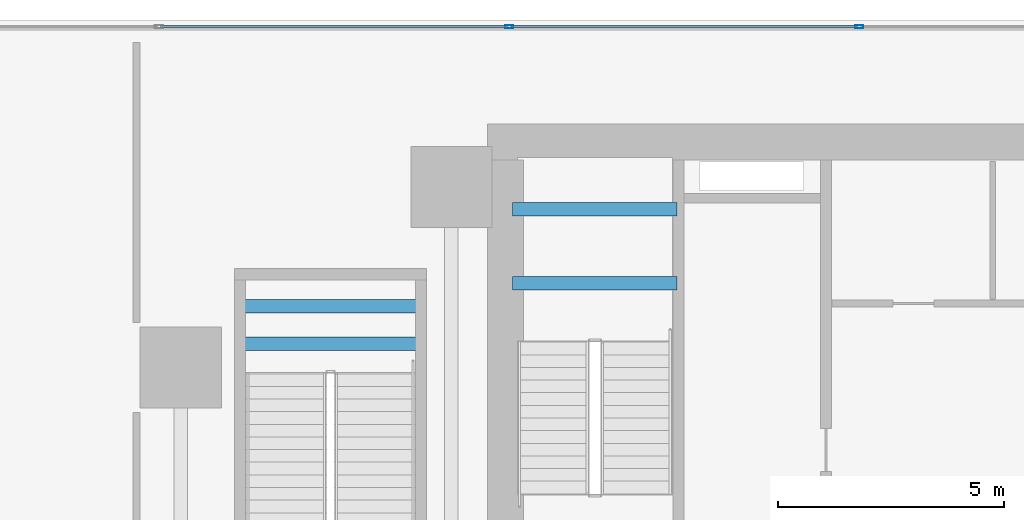
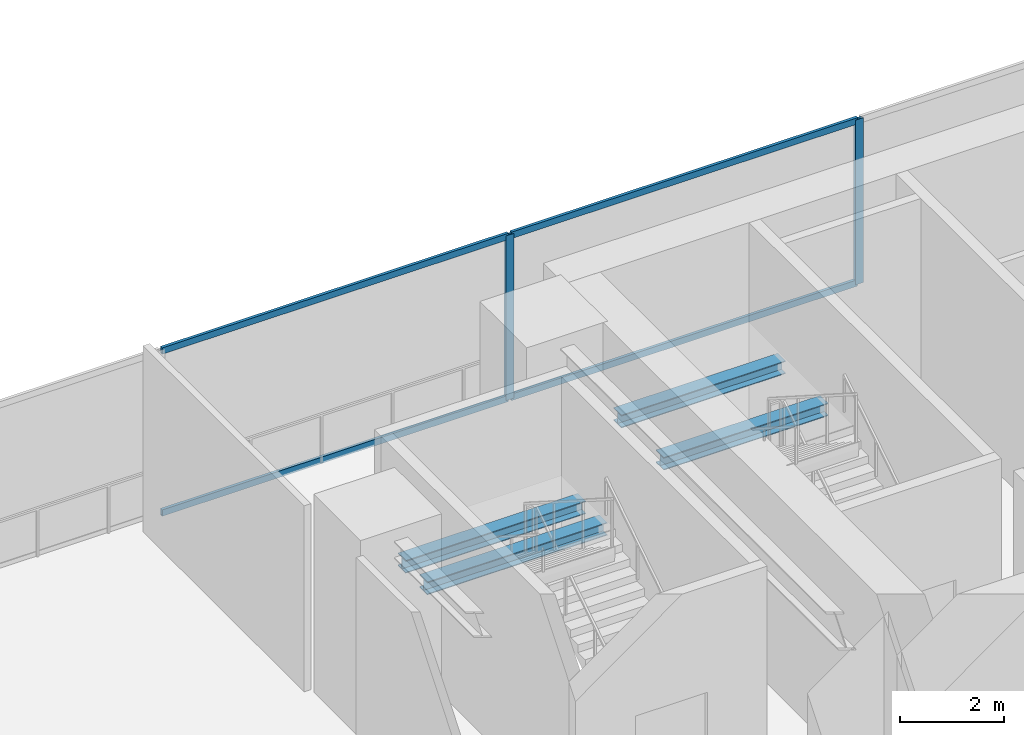
# One storey, part 3 of 17: 6 members, 4 beams, 1 element without a shape of its own.
"""IFC4 building model written with IfcOpenShell, lengths in metres."""

from ifc_helpers import new_model, si_unit, direction, frame, origin, origin_2d, place, context, subcontext, project, spatial, hollow_rectangle, i_section, extrude, source, transform, mapped, material, layer, layer_set, material_profile, profile_set, type_object, element, aggregate, save


model = new_model("IFC4")

# Units and contexts
model_context = context("Model", 3, precision=1e-05, world=origin(), true_north=direction((0.0, 1.0)))
body_context = subcontext(model_context, "Body", "Model", "MODEL_VIEW")
ifc_project = project(units=[si_unit("LENGTHUNIT", "METRE"), si_unit("AREAUNIT", "SQUARE_METRE"), si_unit("VOLUMEUNIT", "CUBIC_METRE"), si_unit("PLANEANGLEUNIT", "RADIAN"), si_unit("MASSUNIT", "GRAM", prefix="KILO")], contexts=[model_context])

# Site, building, storey
site_placement = place(None, origin())
site = spatial("IfcSite", under=ifc_project, at=site_placement, CompositionType="ELEMENT")
building_placement = place(site_placement, origin())
building = spatial("IfcBuilding", under=site, at=building_placement, Name="Sumidabori Civic Tower", CompositionType="ELEMENT")
storey_placement = place(building_placement, frame((0.0, 0.0, 5.0)))
storey = spatial("IfcBuildingStorey", under=building, at=storey_placement, Name="L01", CompositionType="ELEMENT", Elevation=5.0)

# Beams
ifc_material_1 = material(Name="Steel SN490", Category="steel")
ifc_material_profile_1 = material_profile(ifc_material_1, i_section(OverallWidth=0.300048828125, OverallDepth=0.300048828125, WebThickness=0.010986328125, FlangeThickness=0.01904296875, at=origin_2d()), Name="HE 300 B")
ifc_profile_set_1 = profile_set([ifc_material_profile_1], Name="Steel SN490")
beam_type = type_object("IfcBeamType", Name="BM-LDG-300", PredefinedType="BEAM", material=ifc_profile_set_1)
shared_shape_1 = source(origin(), body_context, "Body", "SweptSolid", [
    extrude(i_section(OverallWidth=0.300048828125, OverallDepth=0.300048828125, WebThickness=0.010986328125, FlangeThickness=0.01904296875, at=origin_2d()), origin(), (0.0, 0.0, 1.0), 3.64990234375),
])
for number, where, z_axis, x_axis, name in (
    (1, (-15.449951171875, 20.668701171875, 1.97509765625), (1.0, 0.0, 0.0), (0.0, 1.0, 0.0), "Stair ST-1 Landing Support Beam L01-1A"),
    (2, (-15.449951171875, 22.3046875, 1.97509765625), (1.0, 0.0, 0.0), (0.0, 1.0, 0.0), "Stair ST-1 Landing Trimmer Beam L01-1B"),
):
    element("IfcBeam", number, at=place(storey_placement, frame(where, z_axis=z_axis, x_axis=x_axis)), inside=storey, type_object=beam_type, Name=name, PredefinedType="BEAM", context=body_context, shape_type="MappedRepresentation", body=[
        mapped(shared_shape_1, transform((0.0, 0.0, 0.0), x_axis=(1.0, 0.0, 0.0), y_axis=(0.0, 1.0, 0.0), z_axis=(0.0, 0.0, 1.0), scale=1.0)),
    ])
shared_shape_2 = source(origin(), body_context, "Body", "SweptSolid", [
    extrude(i_section(OverallWidth=0.300048828125, OverallDepth=0.300048828125, WebThickness=0.010986328125, FlangeThickness=0.01904296875, at=origin_2d()), origin(), (0.0, 0.0, 1.0), 4.0),
])
for number, where, z_axis, x_axis, name in (
    (3, (-21.47998046875, 19.32568359375, 1.97509765625), (1.0, 0.0, 0.0), (0.0, 1.0, 0.0), "Stair ST-3 Landing Support Beam L01-1A"),
    (4, (-21.47998046875, 20.15771484375, 1.97509765625), (1.0, 0.0, 0.0), (0.0, 1.0, 0.0), "Stair ST-3 Landing Trimmer Beam L01-1B"),
):
    element("IfcBeam", number, at=place(storey_placement, frame(where, z_axis=z_axis, x_axis=x_axis)), inside=storey, type_object=beam_type, Name=name, PredefinedType="BEAM", context=body_context, shape_type="MappedRepresentation", body=[
        mapped(shared_shape_2, transform((0.0, 0.0, 0.0), x_axis=(1.0, 0.0, 0.0), y_axis=(0.0, 1.0, 0.0), z_axis=(0.0, 0.0, 1.0), scale=1.0)),
    ])

# Curtain wall, members
ifc_material_2 = material(Name="Anodised Bronze Aluminium AW-6063-T6", Category="aluminium")
ifc_layer = layer(ifc_material_2, 0.179931640625, Name="Anodised Bronze Aluminium AW-6063-T6")
ifc_layer_set = layer_set([ifc_layer], Name="Anodised Bronze Aluminium AW-6063-T6")
curtain_wall_type = type_object("IfcCurtainWallType", Name="CW-SYS-1", PredefinedType="NOTDEFINED", material=ifc_layer_set)
curtain_wall_placement = place(storey_placement, origin())
curtain_wall = element("IfcCurtainWall", 5, at=curtain_wall_placement, inside=storey, type_object=curtain_wall_type, Name="Curtain Wall CW:L01:NORTH", PredefinedType="NOTDEFINED")
ifc_material_profile_2 = material_profile(ifc_material_2, hollow_rectangle(XDim=0.070068359375, YDim=0.179931640625, WallThickness=0.006103515625, at=origin_2d()), Name="ALU MULLION 180x70")
ifc_profile_set_2 = profile_set([ifc_material_profile_2], Name="Anodised Bronze Aluminium AW-6063-T6")
member_type_1 = type_object("IfcMemberType", Name="CW-MUL-180", PredefinedType="MULLION", material=ifc_profile_set_2)
shared_shape_3 = source(origin(), body_context, "Body", "SweptSolid", [
    extrude(hollow_rectangle(XDim=0.070068359375, YDim=0.179931640625, WallThickness=0.006103515625, at=origin_2d()), origin(), (0.0, 0.0, 1.0), 3.8701171875),
])
member_1_placement = place(storey_placement, frame((-15.52001953125, 26.35009765625, 0.0), z_axis=(0.0, 0.0, 1.0), x_axis=(0.0, 1.0, 0.0)))
member_1 = element("IfcMember", 6, at=member_1_placement, type_object=member_type_1, Name="CW-1 mullion 4", PredefinedType="MULLION", context=body_context, shape_type="MappedRepresentation", body=[
    mapped(shared_shape_3, transform((0.0, 0.0, 0.0), x_axis=(1.0, 0.0, 0.0), y_axis=(0.0, 1.0, 0.0), z_axis=(0.0, 0.0, 1.0), scale=1.0)),
])
member_2_placement = place(storey_placement, frame((-7.760009765625, 26.35009765625, 0.0), z_axis=(0.0, 0.0, 1.0), x_axis=(0.0, 1.0, 0.0)))
member_2 = element("IfcMember", 7, at=member_2_placement, type_object=member_type_1, Name="CW-1 mullion 5", PredefinedType="MULLION", context=body_context, shape_type="MappedRepresentation", body=[
    mapped(shared_shape_3, transform((0.0, 0.0, 0.0), x_axis=(1.0, 0.0, 0.0), y_axis=(0.0, 1.0, 0.0), z_axis=(0.0, 0.0, 1.0), scale=1.0)),
])
ifc_material_profile_3 = material_profile(ifc_material_2, hollow_rectangle(XDim=0.06494140625, YDim=0.14990234375, WallThickness=0.0048828125, at=origin_2d()), Name="ALU TRANSOM 150x65")
ifc_profile_set_3 = profile_set([ifc_material_profile_3], Name="Anodised Bronze Aluminium AW-6063-T6")
member_type_2 = type_object("IfcMemberType", Name="CW-TRN-150", PredefinedType="USERDEFINED", material=ifc_profile_set_3)
shared_shape_4 = source(origin(), body_context, "Body", "SweptSolid", [
    extrude(hollow_rectangle(XDim=0.06494140625, YDim=0.14990234375, WallThickness=0.0048828125, at=origin_2d()), origin(), (0.0, 0.0, 1.0), 7.690185546875),
])
member_3_placement = place(storey_placement, frame((-23.2451171875, 26.35009765625, 0.032470703125), z_axis=(1.0, 0.0, 0.0), x_axis=(0.0, 1.0, 0.0)))
member_3 = element("IfcMember", 8, at=member_3_placement, type_object=member_type_2, Name="CW-1 transom 3.1", ObjectType="TRANSOM", PredefinedType="USERDEFINED", context=body_context, shape_type="MappedRepresentation", body=[
    mapped(shared_shape_4, transform((0.0, 0.0, 0.0), x_axis=(1.0, 0.0, 0.0), y_axis=(0.0, 1.0, 0.0), z_axis=(0.0, 0.0, 1.0), scale=1.0)),
])
member_4_placement = place(storey_placement, frame((-23.2451171875, 26.35009765625, 3.83740234375), z_axis=(1.0, 0.0, 0.0), x_axis=(0.0, 1.0, 0.0)))
member_4 = element("IfcMember", 9, at=member_4_placement, type_object=member_type_2, Name="CW-1 transom 3.2", ObjectType="TRANSOM", PredefinedType="USERDEFINED", context=body_context, shape_type="MappedRepresentation", body=[
    mapped(shared_shape_4, transform((0.0, 0.0, 0.0), x_axis=(1.0, 0.0, 0.0), y_axis=(0.0, 1.0, 0.0), z_axis=(0.0, 0.0, 1.0), scale=1.0)),
])
member_5_placement = place(storey_placement, frame((-15.485107421875, 26.35009765625, 0.032470703125), z_axis=(1.0, 0.0, 0.0), x_axis=(0.0, 1.0, 0.0)))
member_5 = element("IfcMember", 10, at=member_5_placement, type_object=member_type_2, Name="CW-1 transom 4.1", ObjectType="TRANSOM", PredefinedType="USERDEFINED", context=body_context, shape_type="MappedRepresentation", body=[
    mapped(shared_shape_4, transform((0.0, 0.0, 0.0), x_axis=(1.0, 0.0, 0.0), y_axis=(0.0, 1.0, 0.0), z_axis=(0.0, 0.0, 1.0), scale=1.0)),
])
member_6_placement = place(storey_placement, frame((-15.485107421875, 26.35009765625, 3.83740234375), z_axis=(1.0, 0.0, 0.0), x_axis=(0.0, 1.0, 0.0)))
member_6 = element("IfcMember", 11, at=member_6_placement, type_object=member_type_2, Name="CW-1 transom 4.2", ObjectType="TRANSOM", PredefinedType="USERDEFINED", context=body_context, shape_type="MappedRepresentation", body=[
    mapped(shared_shape_4, transform((0.0, 0.0, 0.0), x_axis=(1.0, 0.0, 0.0), y_axis=(0.0, 1.0, 0.0), z_axis=(0.0, 0.0, 1.0), scale=1.0)),
])
aggregate(curtain_wall, [member_1, member_2, member_3, member_4, member_5, member_6])

save(model, "model.ifc")
